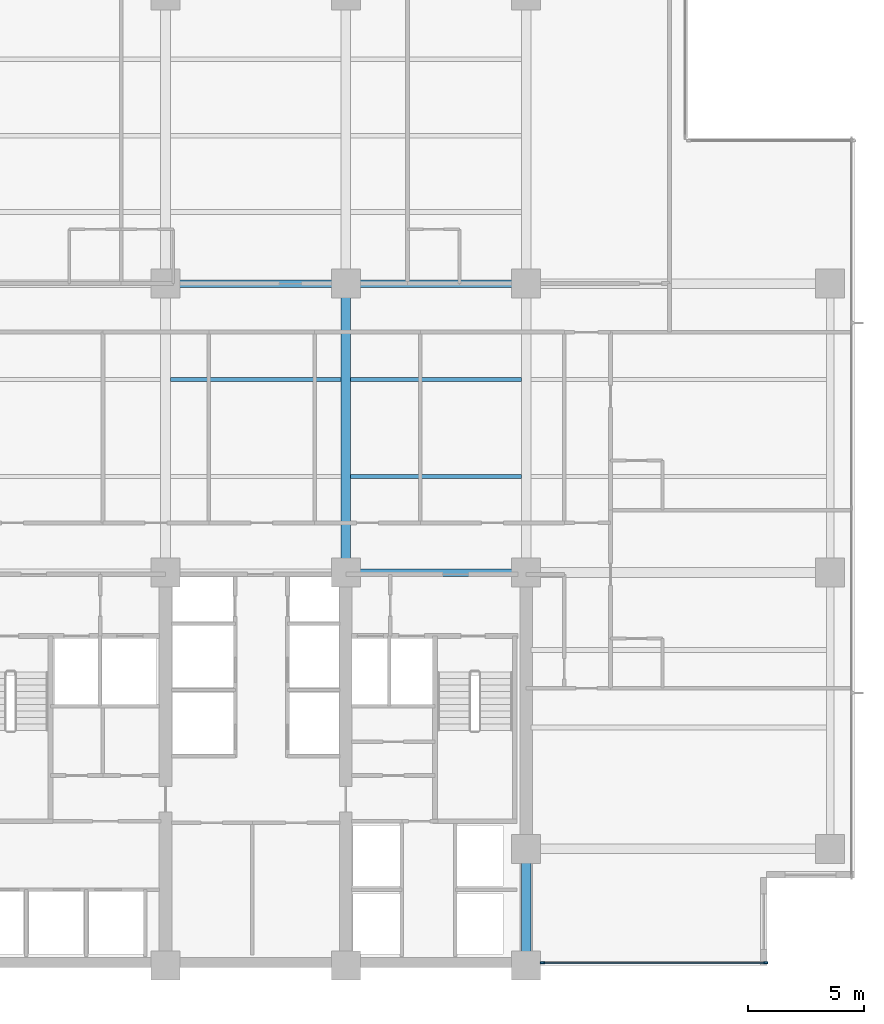
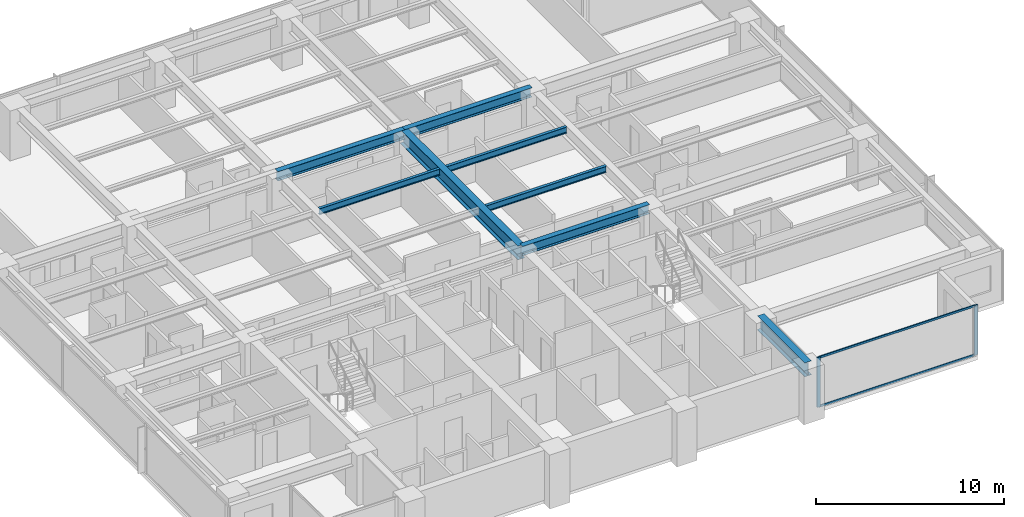
# One storey, part 3 of 17: 8 beams, 4 members, 1 element without a shape of its own.
"""IFC4 building model written with IfcOpenShell, lengths in metres."""

import ifcopenshell
import ifcopenshell.guid

model = None  # the IFC model being written
_history = None  # IfcOwnerHistory: only IFC2X3 demands one
_inside = {}  # id of a spatial element -> (the spatial element, [elements in it])
_under = {}  # id of a project, library or spatial element -> (it, [spatial elements below it])
_declared = {}  # id of a project -> (the project, [libraries it declares])
_typed = {}  # id of a type object -> (the type object, [elements of that type])
_made_of = {}  # id of a material, layer set ... -> (it, [elements and type objects made of it])


def new_model(schema):
    """Start an empty IFC model of exactly this schema.

    Asked for "IFC4X3", IfcOpenShell would pick the latest addendum, in which some entities
    have other attributes; the version numbers below select the first issue.
    IFC2X3 requires an IfcOwnerHistory on every rooted entity: one is made here for all.
    """
    global model, _history
    if schema == "IFC4X3":
        model = ifcopenshell.file(schema_version=(4, 3, 0, 0))
    else:
        model = ifcopenshell.file(schema=schema)
    _inside.clear()
    _under.clear()
    _declared.clear()
    _typed.clear()
    _made_of.clear()
    _history = None
    if model.schema == "IFC2X3":
        org = make("IfcOrganization", Name="unknown")
        user = make(
            "IfcPersonAndOrganization",
            ThePerson=make("IfcPerson", FamilyName="unknown"),
            TheOrganization=org,
        )
        app = make(
            "IfcApplication",
            ApplicationDeveloper=org,
            Version="unknown",
            ApplicationFullName="unknown",
            ApplicationIdentifier="unknown",
        )
        _history = make(
            "IfcOwnerHistory",
            OwningUser=user,
            OwningApplication=app,
            ChangeAction="ADDED",
            CreationDate=0,
        )
    return model


def make(cls, **values):
    """One entity of the class cls with the attributes given. An attribute that is None is left unset."""
    return model.create_entity(
        cls, **{name: value for name, value in values.items() if value is not None}
    )


def rooted(cls, **values):
    """An entity with a GlobalId (a new one), such as an element, a storey or a relation."""
    return make(cls, GlobalId=ifcopenshell.guid.new(), OwnerHistory=_history, **values)


def si_unit(unit_type, name, prefix=None):
    """IfcSIUnit, for example si_unit("LENGTHUNIT", "METRE", prefix="MILLI")."""
    return make("IfcSIUnit", UnitType=unit_type, Prefix=prefix, Name=name)


def assignment(units):
    """IfcUnitAssignment: the units of a project."""
    return None if units is None else make("IfcUnitAssignment", Units=units)


def point(xyz):
    """IfcCartesianPoint."""
    return None if xyz is None else make("IfcCartesianPoint", Coordinates=xyz)


def direction(xyz):
    """IfcDirection."""
    return None if xyz is None else make("IfcDirection", DirectionRatios=xyz)


def frame(location, z_axis=None, x_axis=None):
    """IfcAxis2Placement3D, a coordinate frame: its origin and axes. An axis left out is left unset."""
    return make(
        "IfcAxis2Placement3D",
        Location=point(location),
        Axis=direction(z_axis),
        RefDirection=direction(x_axis),
    )


def frame_2d(location, x_axis=None):
    """IfcAxis2Placement2D, a coordinate frame in the plane: its origin and x axis."""
    return make(
        "IfcAxis2Placement2D", Location=point(location), RefDirection=direction(x_axis)
    )


def origin():
    """The frame at (0, 0, 0) with its axes left unset."""
    return frame((0.0, 0.0, 0.0))


def origin_2d():
    """The frame at (0, 0) in the plane with its x axis left unset."""
    return frame_2d((0.0, 0.0))


def place(relative_to, where):
    """IfcLocalPlacement: puts the frame where relative to a parent placement (None: the world)."""
    return make(
        "IfcLocalPlacement", PlacementRelTo=relative_to, RelativePlacement=where
    )


def context(
    kind, dimensions, precision=None, world=None, true_north=None, identifier=None
):
    """IfcGeometricRepresentationContext, for example the 3D "Model" context."""
    return make(
        "IfcGeometricRepresentationContext",
        ContextIdentifier=identifier,
        ContextType=kind,
        CoordinateSpaceDimension=dimensions,
        Precision=precision,
        WorldCoordinateSystem=world,
        TrueNorth=true_north,
    )


def subcontext(parent, identifier, kind, view, scale=None):
    """IfcGeometricRepresentationSubContext, for example "Body" below "Model"."""
    return make(
        "IfcGeometricRepresentationSubContext",
        ContextIdentifier=identifier,
        ContextType=kind,
        ParentContext=parent,
        TargetScale=scale,
        TargetView=view,
    )


def project(units=None, contexts=None):
    """IfcProject with its units and contexts."""
    return rooted(
        "IfcProject",
        Name="project",
        RepresentationContexts=contexts,
        UnitsInContext=assignment(units),
    )


def spatial(cls, under=None, at=None, **own):
    """A site, building, storey or space (cls), placed at a placement, below another one or the project."""
    s = rooted(cls, ObjectPlacement=at, **own)
    if under is not None:
        _under.setdefault(under.id(), (under, []))[1].append(s)
    return s


def profile(cls, at=None, kind="AREA", **sizes):
    """A parametric profile (cls). Its sizes go by their IFC names, for example OverallWidth=200.0."""
    return make(cls, ProfileType=kind, Position=at, **sizes)


def rectangle(**sizes):
    """IfcRectangleProfileDef."""
    return profile("IfcRectangleProfileDef", **sizes)


def i_section(**sizes):
    """IfcIShapeProfileDef."""
    return profile("IfcIShapeProfileDef", **sizes)


def extrude(swept, where, along, depth):
    """IfcExtrudedAreaSolid: the profile swept, set in the frame where, extruded along a direction by depth."""
    return make(
        "IfcExtrudedAreaSolid",
        SweptArea=swept,
        Position=where,
        ExtrudedDirection=direction(along),
        Depth=depth,
    )


def shape(context_of_items, identifier, shape_type, items):
    """IfcShapeRepresentation: the items that make up one representation, for example the "Body"."""
    return make(
        "IfcShapeRepresentation",
        ContextOfItems=context_of_items,
        RepresentationIdentifier=identifier,
        RepresentationType=shape_type,
        Items=items,
    )


def material(Name=None, Category=None):
    """IfcMaterial."""
    return make("IfcMaterial", Name=Name, Category=Category)


def layer(
    of_material, thickness, ventilated=None, Name=None, Category=None, Priority=None
):
    """IfcMaterialLayer: one layer of a wall or slab, of a material (None: an air gap)."""
    return make(
        "IfcMaterialLayer",
        Material=of_material,
        LayerThickness=thickness,
        IsVentilated=ventilated,
        Name=Name,
        Category=Category,
        Priority=Priority,
    )


def layer_set(layers, Name=None):
    """IfcMaterialLayerSet."""
    return make("IfcMaterialLayerSet", MaterialLayers=layers, LayerSetName=Name)


def material_profile(
    of_material, cross_section, Name=None, Category=None, Priority=None
):
    """IfcMaterialProfile: a cross section and its material."""
    return make(
        "IfcMaterialProfile",
        Name=Name,
        Material=of_material,
        Profile=cross_section,
        Priority=Priority,
        Category=Category,
    )


def profile_set(profiles, Name=None, composite=None):
    """IfcMaterialProfileSet."""
    return make(
        "IfcMaterialProfileSet",
        Name=Name,
        MaterialProfiles=profiles,
        CompositeProfile=composite,
    )


def made_of(thing, what):
    """Note that an element or type object is made of a material, layer set ...; save() writes the relation."""
    if what is not None:
        _made_of.setdefault(what.id(), (what, []))[1].append(thing)
    return thing


def type_object(cls, material=None, **own):
    """A type object (cls), such as IfcWallType, which elements share."""
    return made_of(rooted(cls, **own), material)


def element(
    cls,
    number,
    at=None,
    inside=None,
    cuts=None,
    type_object=None,
    material=None,
    context=None,
    identifier="Body",
    shape_type=None,
    held_by="IfcProductDefinitionShape",
    body=None,
    shapes=None,
    **own,
):
    """One element of the class cls, such as IfcWall. Its Tag is "e" and its number.

    at: its placement. inside: the storey or other place that contains it. cuts: it is an
    opening in that element (IfcRelVoidsElement). A single representation is given by context,
    identifier, shape_type and body (its items); several are given by shapes. held_by: the class
    of the entity that holds the representations. save() writes the other relations.
    """
    e = rooted(cls, Tag="e%d" % number, ObjectPlacement=at, **own)
    if body is not None:
        shapes = [shape(context, identifier, shape_type, body)]
    if shapes is not None:
        e.Representation = make(held_by, Representations=shapes)
    if inside is not None:
        _inside.setdefault(inside.id(), (inside, []))[1].append(e)
    if cuts is not None:
        rooted(
            "IfcRelVoidsElement", RelatingBuildingElement=cuts, RelatedOpeningElement=e
        )
    if type_object is not None:
        _typed.setdefault(type_object.id(), (type_object, []))[1].append(e)
    return made_of(e, material)


def aggregate(whole, parts):
    """IfcRelAggregates: a whole, such as a stair, and the parts it consists of."""
    return rooted("IfcRelAggregates", RelatingObject=whole, RelatedObjects=parts)


def save(model, path):
    """Write the relations noted so far, then the file.

    IfcRelAggregates (storeys below a building ...), IfcRelContainedInSpatialStructure (elements
    in a storey), IfcRelDefinesByType, IfcRelAssociatesMaterial and IfcRelDeclares: one each for
    every whole, place, type object, material and project.
    """
    for whole, parts in _under.values():
        aggregate(whole, parts)
    for where, things in _inside.values():
        rooted(
            "IfcRelContainedInSpatialStructure",
            RelatedElements=things,
            RelatingStructure=where,
        )
    for kind, things in _typed.values():
        rooted("IfcRelDefinesByType", RelatedObjects=things, RelatingType=kind)
    for what, things in _made_of.values():
        rooted("IfcRelAssociatesMaterial", RelatedObjects=things, RelatingMaterial=what)
    for by, libraries in _declared.values():
        rooted("IfcRelDeclares", RelatingContext=by, RelatedDefinitions=libraries)
    model.write(path)


model = new_model("IFC4")

# Units and contexts
model_context = context("Model", 3, precision=1e-05, world=origin(), true_north=direction((0.0, 1.0)))
body_context = subcontext(model_context, "Body", "Model", "MODEL_VIEW")
ifc_project = project(units=[si_unit("LENGTHUNIT", "METRE"), si_unit("AREAUNIT", "SQUARE_METRE"), si_unit("VOLUMEUNIT", "CUBIC_METRE"), si_unit("PLANEANGLEUNIT", "RADIAN"), si_unit("MASSUNIT", "GRAM", prefix="KILO")], contexts=[model_context])

# Site, building, storey
site_placement = place(None, origin())
site = spatial("IfcSite", under=ifc_project, at=site_placement, CompositionType="ELEMENT")
building_placement = place(site_placement, origin())
building = spatial("IfcBuilding", under=site, at=building_placement, Name="Qalmaran Belvedere Hotel", CompositionType="ELEMENT")
storey_placement = place(building_placement, frame((0.0, 0.0, 112.699951171875)))
storey = spatial("IfcBuildingStorey", under=building, at=storey_placement, Name="L28", CompositionType="ELEMENT", Elevation=112.699951171875)

# Beams
ifc_material_1 = material(Name="Steel S355JR", Category="steel")
ifc_material_profile_1 = material_profile(ifc_material_1, i_section(OverallWidth=0.41796875, OverallDepth=0.912109375, WebThickness=0.019287109375, FlangeThickness=0.031982421875, FilletRadius=0.02392578125, at=origin_2d()), Name="W920X342")
ifc_profile_set_1 = profile_set([ifc_material_profile_1], Name="Steel S355JR")
beam_type_1 = type_object("IfcBeamType", Name="BM-PG2-W920X342", PredefinedType="USERDEFINED", material=ifc_profile_set_1)
beam_1_placement = place(storey_placement, frame((37.0, 20.5, 2.783935546875), z_axis=(0.0, 1.0, 0.0), x_axis=(-1.0, 0.0, 0.0)))
element("IfcBeam", 1, at=beam_1_placement, inside=storey, type_object=beam_type_1, Name="L28 Mid-Plate N-S Girder 18", ObjectType="GIRDER", PredefinedType="USERDEFINED", context=body_context, shape_type="SweptSolid", body=[
    extrude(i_section(OverallWidth=0.41796875, OverallDepth=0.912109375, WebThickness=0.019287109375, FlangeThickness=0.031982421875, FilletRadius=0.02392578125, at=origin_2d()), origin(), (0.0, 0.0, 1.0), 12.5),
])
beam_2_placement = place(storey_placement, frame((44.800048828125, 3.5, 2.783935546875), z_axis=(0.0, 1.0, 0.0), x_axis=(-1.0, 0.0, 0.0)))
element("IfcBeam", 2, at=beam_2_placement, inside=storey, type_object=beam_type_1, Name="L28 East Core Edge Girder A", ObjectType="GIRDER", PredefinedType="USERDEFINED", context=body_context, shape_type="SweptSolid", body=[
    extrude(i_section(OverallWidth=0.41796875, OverallDepth=0.912109375, WebThickness=0.019287109375, FlangeThickness=0.031982421875, FilletRadius=0.02392578125, at=origin_2d()), origin(), (0.0, 0.0, 1.0), 5.050048828125),
])
ifc_material_profile_2 = material_profile(ifc_material_1, i_section(OverallWidth=0.177978515625, OverallDepth=0.406982421875, WebThickness=0.0078125, FlangeThickness=0.0126953125, FilletRadius=0.014892578125, at=origin_2d()), Name="W410X60")
ifc_profile_set_2 = profile_set([ifc_material_profile_2], Name="Steel S355JR")
beam_type_2 = type_object("IfcBeamType", Name="BM-SB2-W410X60", PredefinedType="BEAM", material=ifc_profile_set_2)
for number, where, z_axis, x_axis, name in (
    (3, (37.20703125, 24.64990234375, 3.03662109375), (1.0, 0.0, 0.0), (0.0, 1.0, 0.0), "L28 Secondary Floor Beam 031"),
    (4, (29.406982421875, 28.85009765625, 3.03662109375), (1.0, 0.0, 0.0), (0.0, 1.0, 0.0), "L28 Secondary Floor Beam 035"),
    (5, (37.20703125, 28.85009765625, 3.03662109375), (1.0, 0.0, 0.0), (0.0, 1.0, 0.0), "L28 Secondary Floor Beam 036"),
):
    element("IfcBeam", number, at=place(storey_placement, frame(where, z_axis=z_axis, x_axis=x_axis)), inside=storey, type_object=beam_type_2, Name=name, PredefinedType="BEAM", context=body_context, shape_type="SweptSolid", body=[
        extrude(i_section(OverallWidth=0.177978515625, OverallDepth=0.406982421875, WebThickness=0.0078125, FlangeThickness=0.0126953125, FilletRadius=0.014892578125, at=origin_2d()), origin(), (0.0, 0.0, 1.0), 7.385986328125),
    ])
ifc_material_profile_3 = material_profile(ifc_material_1, i_section(OverallWidth=0.323974609375, OverallDepth=0.611083984375, WebThickness=0.0126953125, FlangeThickness=0.01904296875, FilletRadius=0.02001953125, at=origin_2d()), Name="W610X155")
ifc_profile_set_3 = profile_set([ifc_material_profile_3], Name="Steel S355JR")
beam_type_3 = type_object("IfcBeamType", Name="BM-Z2-W610X155", PredefinedType="USERDEFINED", material=ifc_profile_set_3)
for number, where, z_axis, x_axis, name in (
    (6, (37.0, 20.5, 2.9345703125), (1.0, 0.0, 0.0), (0.0, 1.0, 0.0), "L28 Interior E-W Girder 10"),
    (7, (29.199951171875, 33.0, 2.9345703125), (1.0, 0.0, 0.0), (0.0, 1.0, 0.0), "L28 Interior E-W Girder 12"),
    (8, (37.0, 33.0, 2.9345703125), (1.0, 0.0, 0.0), (0.0, 1.0, 0.0), "L28 Interior E-W Girder 13"),
):
    element("IfcBeam", number, at=place(storey_placement, frame(where, z_axis=z_axis, x_axis=x_axis)), inside=storey, type_object=beam_type_3, Name=name, ObjectType="GIRDER", PredefinedType="USERDEFINED", context=body_context, shape_type="SweptSolid", body=[
        extrude(i_section(OverallWidth=0.323974609375, OverallDepth=0.611083984375, WebThickness=0.0126953125, FlangeThickness=0.01904296875, FilletRadius=0.02001953125, at=origin_2d()), origin(), (0.0, 0.0, 1.0), 7.800048828125),
    ])

# Curtain wall, members
ifc_material_2 = material(Name="Anodised Bronze Aluminium", Category="aluminium")
ifc_layer = layer(ifc_material_2, 0.199951171875, Name="Anodised Bronze Aluminium")
ifc_layer_set = layer_set([ifc_layer], Name="Anodised Bronze Aluminium")
curtain_wall_type = type_object("IfcCurtainWallType", Name="CW3-TOWER-LOWMID", PredefinedType="NOTDEFINED", material=ifc_layer_set)
curtain_wall_placement = place(storey_placement, origin())
curtain_wall = element("IfcCurtainWall", 9, at=curtain_wall_placement, inside=storey, type_object=curtain_wall_type, Name="L28 Curtain Wall CW3", PredefinedType="NOTDEFINED")
ifc_material_profile_4 = material_profile(ifc_material_2, rectangle(XDim=0.070068359375, YDim=0.18994140625, at=origin_2d()), Name="CWM70X190")
ifc_profile_set_4 = profile_set([ifc_material_profile_4], Name="Anodised Bronze Aluminium")
member_type_1 = type_object("IfcMemberType", Name="CWM-70X190", PredefinedType="MULLION", material=ifc_profile_set_4)
member_1_placement = place(storey_placement, frame((45.5, 3.6201171875, 0.0), z_axis=(0.0, 0.0, 1.0), x_axis=(0.0, 1.0, 0.0)))
member_1 = element("IfcMember", 10, at=member_1_placement, type_object=member_type_1, Name="CW3 mullion 1", PredefinedType="MULLION", context=body_context, shape_type="SweptSolid", body=[
    extrude(rectangle(XDim=0.070068359375, YDim=0.18994140625, at=origin_2d()), origin(), (0.0, 0.0, 1.0), 3.239990234375),
])
member_2_placement = place(storey_placement, frame((55.1650390625, 3.6201171875, 0.0), z_axis=(0.0, 0.0, 1.0), x_axis=(0.0, 1.0, 0.0)))
member_2 = element("IfcMember", 11, at=member_2_placement, type_object=member_type_1, Name="CW3 mullion 2", PredefinedType="MULLION", context=body_context, shape_type="SweptSolid", body=[
    extrude(rectangle(XDim=0.070068359375, YDim=0.18994140625, at=origin_2d()), origin(), (0.0, 0.0, 1.0), 3.239990234375),
])
ifc_material_profile_5 = material_profile(ifc_material_2, rectangle(XDim=0.06494140625, YDim=0.1298828125, at=origin_2d()), Name="CWT65X130")
ifc_profile_set_5 = profile_set([ifc_material_profile_5], Name="Anodised Bronze Aluminium")
member_type_2 = type_object("IfcMemberType", Name="CWT-65X130", PredefinedType="USERDEFINED", material=ifc_profile_set_5)
member_3_placement = place(storey_placement, frame((45.534912109375, 3.6201171875, 0.032470703125), z_axis=(1.0, 0.0, 0.0), x_axis=(0.0, 1.0, 0.0)))
member_3 = element("IfcMember", 12, at=member_3_placement, type_object=member_type_2, Name="CW3 transom 1.1", ObjectType="TRANSOM", PredefinedType="USERDEFINED", context=body_context, shape_type="SweptSolid", body=[
    extrude(rectangle(XDim=0.06494140625, YDim=0.1298828125, at=origin_2d()), origin(), (0.0, 0.0, 1.0), 9.594970703125),
])
member_4_placement = place(storey_placement, frame((45.534912109375, 3.6201171875, 3.20751953125), z_axis=(1.0, 0.0, 0.0), x_axis=(0.0, 1.0, 0.0)))
member_4 = element("IfcMember", 13, at=member_4_placement, type_object=member_type_2, Name="CW3 transom 1.2", ObjectType="TRANSOM", PredefinedType="USERDEFINED", context=body_context, shape_type="SweptSolid", body=[
    extrude(rectangle(XDim=0.06494140625, YDim=0.1298828125, at=origin_2d()), origin(), (0.0, 0.0, 1.0), 9.594970703125),
])
aggregate(curtain_wall, [member_1, member_2, member_3, member_4])

save(model, "model.ifc")
